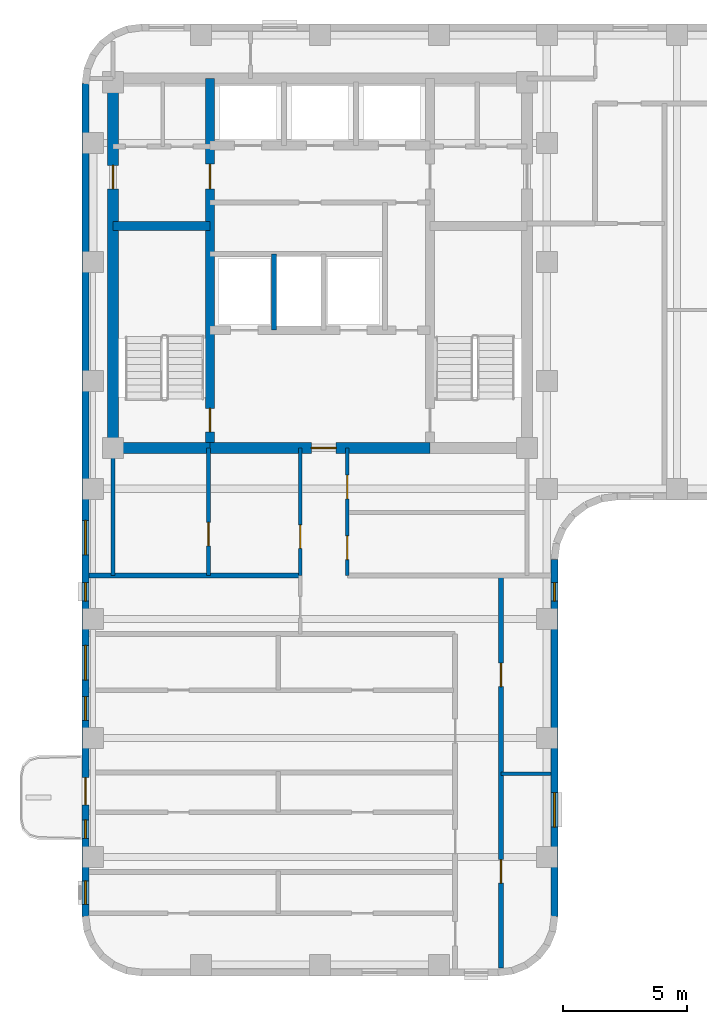
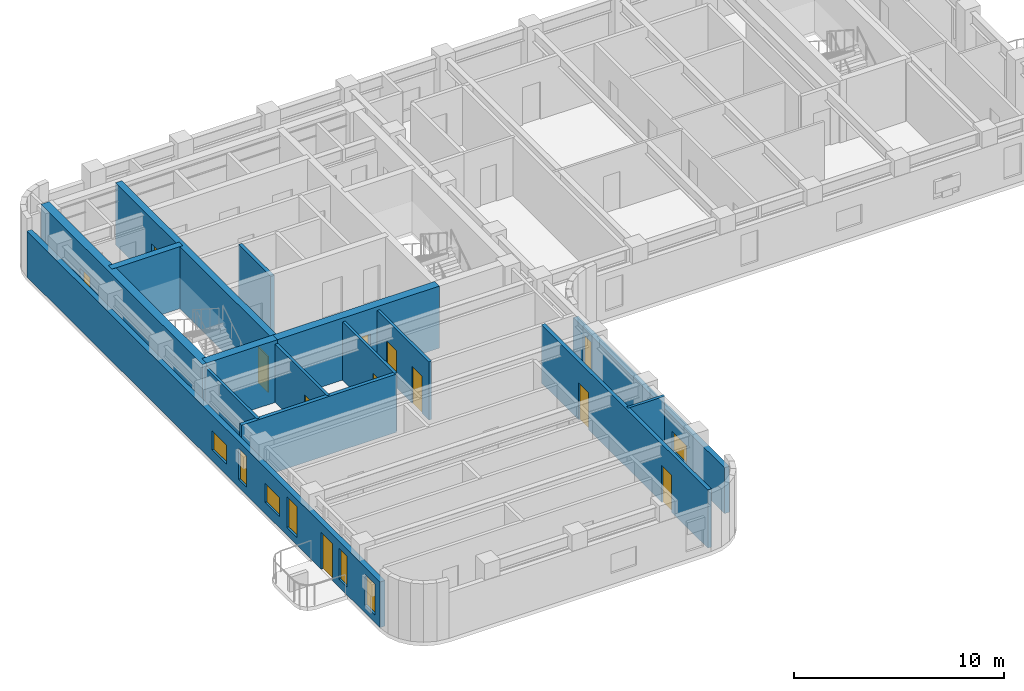
# One storey, part 3 of 10: 15 walls, 11 doors, 8 windows, 19 openings.
"""IFC4 building model written with IfcOpenShell, lengths in metres."""

from ifc_helpers import new_model, si_unit, direction, frame, frame_2d, origin, place, context, subcontext, project, spatial, rectangle, extrude, material, layer, layer_set, type_object, element, fill, save


model = new_model("IFC4")

# Units and contexts
model_context = context("Model", 3, precision=1e-05, world=origin(), true_north=direction((0.0, 1.0)))
body_context = subcontext(model_context, "Body", "Model", "MODEL_VIEW")
ifc_project = project(units=[si_unit("LENGTHUNIT", "METRE"), si_unit("AREAUNIT", "SQUARE_METRE"), si_unit("VOLUMEUNIT", "CUBIC_METRE"), si_unit("PLANEANGLEUNIT", "RADIAN"), si_unit("MASSUNIT", "GRAM", prefix="KILO")], contexts=[model_context])

# Site, building, storey
site_placement = place(None, origin())
site = spatial("IfcSite", under=ifc_project, at=site_placement, CompositionType="ELEMENT")
building_placement = place(site_placement, origin())
building = spatial("IfcBuilding", under=site, at=building_placement, Name="Orvandelia Arch Residences", CompositionType="ELEMENT")
storey_placement = place(building_placement, frame((0.0, 0.0, 229.0)))
storey = spatial("IfcBuildingStorey", under=building, at=storey_placement, Name="L60", CompositionType="ELEMENT", Elevation=229.0)

# Wall, openings, doors
ifc_material_1 = material(Name="Concrete C50/60", Category="concrete")
ifc_layer_1 = layer(ifc_material_1, 0.35009765625, Name="Concrete C50/60", Category="concrete")
ifc_layer_set_1 = layer_set([ifc_layer_1], Name="Concrete C50/60")
wall_type_1 = type_object("IfcWallType", Name="WL-CORE-350", PredefinedType="SHEAR", material=ifc_layer_set_1)
wall_1_placement = place(storey_placement, frame((9.9599609375, 30.89990234375, 0.0), z_axis=(0.0, 0.0, 1.0), x_axis=(0.0, 1.0, 0.0)))
wall_1 = element("IfcWall", 1, at=wall_1_placement, inside=storey, type_object=wall_type_1, Name="Core Shear Wall L60-WEB1", PredefinedType="SHEAR", context=body_context, shape_type="SweptSolid", body=[
    extrude(rectangle(XDim=14.900146484375, YDim=0.35009765625, at=frame_2d((7.4501953125, 0.0))), origin(), (0.0, 0.0, 1.0), 3.60009765625),
])
opening_1_placement = place(wall_1_placement, frame((0.64990234375, 0.0, 0.0)))
opening_1 = element("IfcOpeningElement", 2, at=opening_1_placement, cuts=wall_1, Name="Opening D7", PredefinedType="OPENING", context=body_context, shape_type="SweptSolid", body=[
    extrude(rectangle(XDim=0.949951171875, YDim=2.10009765625, at=frame_2d((0.47509765625, 1.050048828125))), frame((0.0, 0.18505859375, 0.0), z_axis=(0.0, -1.0, 0.0), x_axis=(1.0, 0.0, 0.0)), (0.0, 0.0, 1.0), 0.3701171875),
])
opening_2_placement = place(wall_1_placement, frame((10.449951171875, 0.0, 0.0)))
opening_2 = element("IfcOpeningElement", 3, at=opening_2_placement, cuts=wall_1, Name="Opening D6", PredefinedType="OPENING", context=body_context, shape_type="SweptSolid", body=[
    extrude(rectangle(XDim=1.0, YDim=2.14990234375, at=frame_2d((0.5, 1.074951171875))), frame((0.0, 0.18505859375, 0.0), z_axis=(0.0, -1.0, 0.0), x_axis=(1.0, 0.0, 0.0)), (0.0, 0.0, 1.0), 0.3701171875),
])
ifc_material_2 = material(Name="Smokeproof Painted Steel Fire Door", Category="steel")
door_type_1 = type_object("IfcDoorType", Name="DR-FD60-1000", OperationType="NOTDEFINED", PredefinedType="DOOR", material=ifc_material_2)
door_1_placement = place(opening_2_placement, origin())
door_1 = element("IfcDoor", 4, at=door_1_placement, inside=storey, type_object=door_type_1, Name="High-Rise Lift Hall West Vestibule Door L60", OperationType="SINGLE_SWING_LEFT", OverallHeight=2.14990234375, OverallWidth=1.0, PredefinedType="DOOR", context=body_context, shape_type="SweptSolid", body=[
    extrude(rectangle(XDim=1.0, YDim=2.14990234375, at=frame_2d((0.5, 1.074951171875))), frame((0.0, 0.02490234375, 0.0), z_axis=(0.0, -1.0, 0.0), x_axis=(1.0, 0.0, 0.0)), (0.0, 0.0, 1.0), 0.050048828125),
])
fill(opening_2, door_1)
ifc_material_3 = material(Name="Pressurised Stairwell Fire Door")
door_type_2 = type_object("IfcDoorType", Name="DR-STAIR-950", OperationType="NOTDEFINED", PredefinedType="DOOR", material=ifc_material_3)
door_2_placement = place(opening_1_placement, origin())
door_2 = element("IfcDoor", 5, at=door_2_placement, inside=storey, type_object=door_type_2, Name="Stairwell ST-1 Fire Door L60", OperationType="SINGLE_SWING_LEFT", OverallHeight=2.10009765625, OverallWidth=0.949951171875, PredefinedType="DOOR", context=body_context, shape_type="SweptSolid", body=[
    extrude(rectangle(XDim=0.949951171875, YDim=2.10009765625, at=frame_2d((0.47509765625, 1.050048828125))), frame((0.0, 0.02490234375, 0.0), z_axis=(0.0, -1.0, 0.0), x_axis=(1.0, 0.0, 0.0)), (0.0, 0.0, 1.0), 0.050048828125),
])
fill(opening_1, door_2)

# Wall
wall_2_placement = place(storey_placement, frame((6.050048828125, 39.85009765625, 0.0), z_axis=(0.0, 0.0, 1.0), x_axis=(1.0, 0.0, 0.0)))
element("IfcWall", 6, at=wall_2_placement, inside=storey, type_object=wall_type_1, Name="Core Shear Wall L60-HZ1", PredefinedType="SHEAR", context=body_context, shape_type="SweptSolid", body=[
    extrude(rectangle(XDim=3.909912109375, YDim=0.35009765625, at=frame_2d((1.955078125, 0.0))), origin(), (0.0, 0.0, 1.0), 3.60009765625),
])

# Wall, opening, door
ifc_layer_2 = layer(ifc_material_1, 0.449951171875, Name="Concrete C50/60", Category="concrete")
ifc_layer_set_2 = layer_set([ifc_layer_2], Name="Concrete C50/60")
wall_type_2 = type_object("IfcWallType", Name="WL-CORE-450", PredefinedType="SHEAR", material=ifc_layer_set_2)
wall_3_placement = place(storey_placement, frame((6.050048828125, 30.675048828125, 0.0), z_axis=(0.0, 0.0, 1.0), x_axis=(0.0, 1.0, 0.0)))
wall_3 = element("IfcWall", 7, at=wall_3_placement, inside=storey, type_object=wall_type_2, Name="Core Shear Wall L60-W", PredefinedType="SHEAR", context=body_context, shape_type="SweptSolid", body=[
    extrude(rectangle(XDim=15.349853515625, YDim=0.449951171875, at=frame_2d((7.6748046875, 0.0))), origin(), (0.0, 0.0, 1.0), 3.60009765625),
])
opening_3_placement = place(wall_3_placement, frame((10.675048828125, 0.0, 0.0)))
opening_3 = element("IfcOpeningElement", 8, at=opening_3_placement, cuts=wall_3, Name="Opening D2", PredefinedType="OPENING", context=body_context, shape_type="SweptSolid", body=[
    extrude(rectangle(XDim=0.949951171875, YDim=2.14990234375, at=frame_2d((0.47509765625, 1.074951171875))), frame((0.0, 0.23486328125, 0.0), z_axis=(0.0, -1.0, 0.0), x_axis=(1.0, 0.0, 0.0)), (0.0, 0.0, 1.0), 0.469970703125),
])
ifc_material_4 = material(Name="Solid-Core Timber Interior Fire Door", Category="wood")
door_type_3 = type_object("IfcDoorType", Name="DR-APT-950", OperationType="NOTDEFINED", PredefinedType="DOOR", material=ifc_material_4)
door_3_placement = place(opening_3_placement, origin())
door_3 = element("IfcDoor", 9, at=door_3_placement, inside=storey, type_object=door_type_3, Name="West Viewing Study Door L60", OperationType="SINGLE_SWING_RIGHT", OverallHeight=2.14990234375, OverallWidth=0.949951171875, PredefinedType="DOOR", context=body_context, shape_type="SweptSolid", body=[
    extrude(rectangle(XDim=0.949951171875, YDim=2.14990234375, at=frame_2d((0.47509765625, 1.074951171875))), frame((0.0, 0.02490234375, 0.0), z_axis=(0.0, -1.0, 0.0), x_axis=(1.0, 0.0, 0.0)), (0.0, 0.0, 1.0), 0.050048828125),
])
fill(opening_3, door_3)

# Wall
wall_4_placement = place(storey_placement, frame((6.050048828125, 30.89990234375, 0.0), z_axis=(0.0, 0.0, 1.0), x_axis=(1.0, 0.0, 0.0)))
element("IfcWall", 10, at=wall_4_placement, inside=storey, type_object=wall_type_2, Name="Core Shear Wall L60-SW", PredefinedType="SHEAR", context=body_context, shape_type="SweptSolid", body=[
    extrude(rectangle(XDim=3.909912109375, YDim=0.449951171875, at=frame_2d((1.955078125, 0.0))), origin(), (0.0, 0.0, 1.0), 3.60009765625),
])

# Wall, opening, door
wall_5_placement = place(storey_placement, frame((9.9599609375, 30.89990234375, 0.0), z_axis=(0.0, 0.0, 1.0), x_axis=(1.0, 0.0, 0.0)))
wall_5 = element("IfcWall", 11, at=wall_5_placement, inside=storey, type_object=wall_type_2, Name="Core Shear Wall L60-SM", PredefinedType="SHEAR", context=body_context, shape_type="SweptSolid", body=[
    extrude(rectangle(XDim=8.880126953125, YDim=0.449951171875, at=frame_2d((4.43994140625, 0.0))), origin(), (0.0, 0.0, 1.0), 3.60009765625),
])
opening_4_placement = place(wall_5_placement, frame((4.090087890625, 0.0, 0.0)))
opening_4 = element("IfcOpeningElement", 12, at=opening_4_placement, cuts=wall_5, Name="Opening D6", PredefinedType="OPENING", context=body_context, shape_type="SweptSolid", body=[
    extrude(rectangle(XDim=1.0, YDim=2.14990234375, at=frame_2d((0.5, 1.074951171875))), frame((0.0, 0.23486328125, 0.0), z_axis=(0.0, -1.0, 0.0), x_axis=(1.0, 0.0, 0.0)), (0.0, 0.0, 1.0), 0.469970703125),
])
door_4_placement = place(opening_4_placement, origin())
door_4 = element("IfcDoor", 13, at=door_4_placement, inside=storey, type_object=door_type_1, Name="Firefighting Lobby Smokeproof Door L60", OperationType="SINGLE_SWING_LEFT", OverallHeight=2.14990234375, OverallWidth=1.0, PredefinedType="DOOR", context=body_context, shape_type="SweptSolid", body=[
    extrude(rectangle(XDim=1.0, YDim=2.14990234375, at=frame_2d((0.5, 1.074951171875))), frame((0.0, 0.02490234375, 0.0), z_axis=(0.0, -1.0, 0.0), x_axis=(1.0, 0.0, 0.0)), (0.0, 0.0, 1.0), 0.050048828125),
])
fill(opening_4, door_4)

# Wall, openings, doors
ifc_material_5 = material(Name="Fire-Rated Corridor Partition")
ifc_layer_3 = layer(ifc_material_5, 0.199951171875, Name="Fire-Rated Corridor Partition")
ifc_layer_set_3 = layer_set([ifc_layer_3], Name="Fire-Rated Corridor Partition")
wall_type_3 = type_object("IfcWallType", Name="WL-CORR-200", PredefinedType="PARTITIONING", material=ifc_layer_set_3)
wall_6_placement = place(storey_placement, frame((21.699951171875, 9.919921875, 0.0), z_axis=(0.0, 0.0, 1.0), x_axis=(0.0, 1.0, 0.0)))
wall_6 = element("IfcWall", 14, at=wall_6_placement, inside=storey, type_object=wall_type_3, Name="Interior Partition Wall WL-L60-WC-E", PredefinedType="PARTITIONING", context=body_context, shape_type="SweptSolid", body=[
    extrude(rectangle(XDim=15.830078125, YDim=0.199951171875, at=frame_2d((7.9150390625, 0.0))), origin(), (0.0, 0.0, 1.0), 3.3798828125),
])
opening_5_placement = place(wall_6_placement, frame((3.429931640625, 0.0, 0.0)))
opening_5 = element("IfcOpeningElement", 15, at=opening_5_placement, cuts=wall_6, Name="Opening D2", PredefinedType="OPENING", context=body_context, shape_type="SweptSolid", body=[
    extrude(rectangle(XDim=0.949951171875, YDim=2.14990234375, at=frame_2d((0.47509765625, 1.074951171875))), frame((0.0, 0.10986328125, 0.0), z_axis=(0.0, -1.0, 0.0), x_axis=(1.0, 0.0, 0.0)), (0.0, 0.0, 1.0), 0.219970703125),
])
opening_6_placement = place(wall_6_placement, frame((11.35009765625, 0.0, 0.0)))
opening_6 = element("IfcOpeningElement", 16, at=opening_6_placement, cuts=wall_6, Name="Opening D2", PredefinedType="OPENING", context=body_context, shape_type="SweptSolid", body=[
    extrude(rectangle(XDim=0.949951171875, YDim=2.14990234375, at=frame_2d((0.47509765625, 1.074951171875))), frame((0.0, 0.10986328125, 0.0), z_axis=(0.0, -1.0, 0.0), x_axis=(1.0, 0.0, 0.0)), (0.0, 0.0, 1.0), 0.219970703125),
])
door_5_placement = place(opening_5_placement, origin())
door_5 = element("IfcDoor", 17, at=door_5_placement, inside=storey, type_object=door_type_3, Name="DR-L60-EGALV1", OperationType="SINGLE_SWING_LEFT", OverallHeight=2.14990234375, OverallWidth=0.949951171875, PredefinedType="DOOR", context=body_context, shape_type="SweptSolid", body=[
    extrude(rectangle(XDim=0.949951171875, YDim=2.14990234375, at=frame_2d((0.47509765625, 1.074951171875))), frame((0.0, 0.02490234375, 0.0), z_axis=(0.0, -1.0, 0.0), x_axis=(1.0, 0.0, 0.0)), (0.0, 0.0, 1.0), 0.050048828125),
])
fill(opening_5, door_5)
door_6_placement = place(opening_6_placement, origin())
door_6 = element("IfcDoor", 18, at=door_6_placement, inside=storey, type_object=door_type_3, Name="DR-L60-EGLDY1", OperationType="SINGLE_SWING_RIGHT", OverallHeight=2.14990234375, OverallWidth=0.949951171875, PredefinedType="DOOR", context=body_context, shape_type="SweptSolid", body=[
    extrude(rectangle(XDim=0.949951171875, YDim=2.14990234375, at=frame_2d((0.47509765625, 1.074951171875))), frame((0.0, 0.02490234375, 0.0), z_axis=(0.0, -1.0, 0.0), x_axis=(1.0, 0.0, 0.0)), (0.0, 0.0, 1.0), 0.050048828125),
])
fill(opening_6, door_6)

# Wall
wall_7_placement = place(storey_placement, frame((5.080078125, 25.75, 0.0), z_axis=(0.0, 0.0, 1.0), x_axis=(1.0, 0.0, 0.0)))
element("IfcWall", 19, at=wall_7_placement, inside=storey, type_object=wall_type_3, Name="Interior Partition Wall WL-L60-WLNK-NW2", PredefinedType="PARTITIONING", context=body_context, shape_type="SweptSolid", body=[
    extrude(rectangle(XDim=8.52001953125, YDim=0.199951171875, at=frame_2d((4.260009765625, 0.0))), origin(), (0.0, 0.0, 1.0), 3.3798828125),
])

# Wall, openings, windows
ifc_material_6 = material(Name="Precast concrete C40/50", Category="concrete")
ifc_layer_4 = layer(ifc_material_6, 0.280029296875, Name="Precast concrete C40/50", Category="concrete")
ifc_layer_set_4 = layer_set([ifc_layer_4], Name="Precast concrete C40/50")
wall_type_4 = type_object("IfcWallType", Name="WL-EXT-STONE-280", PredefinedType="STANDARD", material=ifc_layer_set_4)
wall_8_placement = place(storey_placement, frame((23.860107421875, 26.39990234375, 0.0), z_axis=(0.0, 0.0, 1.0), x_axis=(0.0, -1.0, 0.0)))
wall_8 = element("IfcWall", 20, at=wall_8_placement, inside=storey, type_object=wall_type_4, Name="Coral-Limestone Precast Facade Wall L60-028", PredefinedType="STANDARD", context=body_context, shape_type="SweptSolid", body=[
    extrude(rectangle(XDim=14.39990234375, YDim=0.280029296875, at=frame_2d((7.199951171875, 0.0))), origin(), (0.0, 0.0, 1.0), 2.659912109375),
])
opening_7_placement = place(wall_8_placement, frame((9.3974609375, 0.0, 0.64990234375)))
opening_7 = element("IfcOpeningElement", 21, at=opening_7_placement, cuts=wall_8, Name="Opening W10", PredefinedType="OPENING", context=body_context, shape_type="SweptSolid", body=[
    extrude(rectangle(XDim=1.39990234375, YDim=1.10009765625, at=frame_2d((0.699951171875, 0.550048828125))), frame((0.0, 0.14990234375, 0.0), z_axis=(0.0, -1.0, 0.0), x_axis=(1.0, 0.0, 0.0)), (0.0, 0.0, 1.0), 0.300048828125),
])
opening_8_placement = place(wall_8_placement, frame((0.927490234375, 0.0, 0.449951171875)))
opening_8 = element("IfcOpeningElement", 22, at=opening_8_placement, cuts=wall_8, Name="Opening W11", PredefinedType="OPENING", context=body_context, shape_type="SweptSolid", body=[
    extrude(rectangle(XDim=0.75, YDim=1.800048828125, at=frame_2d((0.375, 0.89990234375))), frame((0.0, 0.14990234375, 0.0), z_axis=(0.0, -1.0, 0.0), x_axis=(1.0, 0.0, 0.0)), (0.0, 0.0, 1.0), 0.300048828125),
])
ifc_material_7 = material(Name="Tempered Low-E Insulated Glazing", Category="glass")
window_type_1 = type_object("IfcWindowType", Name="WIN-BED-0750x1800", PartitioningType="SINGLE_PANEL", PredefinedType="WINDOW", material=ifc_material_7)
window_1_placement = place(opening_8_placement, origin())
window_1 = element("IfcWindow", 23, at=window_1_placement, inside=storey, type_object=window_type_1, Name="Recessed Punched Window L60-013", OverallHeight=1.800048828125, OverallWidth=0.75, PartitioningType="SINGLE_PANEL", PredefinedType="WINDOW", context=body_context, shape_type="SweptSolid", body=[
    extrude(rectangle(XDim=0.75, YDim=1.800048828125, at=frame_2d((0.375, 0.89990234375))), frame((0.0, 0.030029296875, 0.0), z_axis=(0.0, -1.0, 0.0), x_axis=(1.0, 0.0, 0.0)), (0.0, 0.0, 1.0), 0.06005859375),
])
fill(opening_8, window_1)
window_type_2 = type_object("IfcWindowType", Name="WIN-CLR-1400x1100", PartitioningType="SINGLE_PANEL", PredefinedType="WINDOW", material=ifc_material_7)
window_2_placement = place(opening_7_placement, origin())
window_2 = element("IfcWindow", 24, at=window_2_placement, inside=storey, type_object=window_type_2, Name="Recessed Punched Window L60-012", OverallHeight=1.10009765625, OverallWidth=1.39990234375, PartitioningType="SINGLE_PANEL", PredefinedType="WINDOW", context=body_context, shape_type="SweptSolid", body=[
    extrude(rectangle(XDim=1.39990234375, YDim=1.10009765625, at=frame_2d((0.699951171875, 0.550048828125))), frame((0.0, 0.030029296875, 0.0), z_axis=(0.0, -1.0, 0.0), x_axis=(1.0, 0.0, 0.0)), (0.0, 0.0, 1.0), 0.06005859375),
])
fill(opening_7, window_2)

# Wall, openings, door, windows
wall_9_placement = place(storey_placement, frame((4.93994140625, 12.0, 0.0), z_axis=(0.0, 0.0, 1.0), x_axis=(0.0, 1.0, 0.0)))
wall_9 = element("IfcWall", 25, at=wall_9_placement, inside=storey, type_object=wall_type_4, Name="Coral-Limestone Precast Facade Wall L60-042", PredefinedType="STANDARD", context=body_context, shape_type="SweptSolid", body=[
    extrude(rectangle(XDim=33.60009765625, YDim=0.280029296875, at=frame_2d((16.800048828125, 0.0))), origin(), (0.0, 0.0, 1.0), 2.659912109375),
])
opening_9_placement = place(wall_9_placement, frame((4.5, 0.0, 0.0)))
opening_9 = element("IfcOpeningElement", 26, at=opening_9_placement, cuts=wall_9, Name="Opening BD1", PredefinedType="OPENING", context=body_context, shape_type="SweptSolid", body=[
    extrude(rectangle(XDim=1.10009765625, YDim=2.14990234375, at=frame_2d((0.550048828125, 1.074951171875))), frame((0.0, 0.14990234375, 0.0), z_axis=(0.0, -1.0, 0.0), x_axis=(1.0, 0.0, 0.0)), (0.0, 0.0, 1.0), 0.300048828125),
])
opening_10_placement = place(wall_9_placement, frame((3.152587890625, 0.0, 0.449951171875)))
opening_10 = element("IfcOpeningElement", 27, at=opening_10_placement, cuts=wall_9, Name="Opening W11", PredefinedType="OPENING", context=body_context, shape_type="SweptSolid", body=[
    extrude(rectangle(XDim=0.75, YDim=1.800048828125, at=frame_2d((0.375, 0.89990234375))), frame((0.0, 0.14990234375, 0.0), z_axis=(0.0, -1.0, 0.0), x_axis=(1.0, 0.0, 0.0)), (0.0, 0.0, 1.0), 0.300048828125),
])
opening_11_placement = place(wall_9_placement, frame((7.91455078125, 0.0, 0.449951171875)))
opening_11 = element("IfcOpeningElement", 28, at=opening_11_placement, cuts=wall_9, Name="Opening W4", PredefinedType="OPENING", context=body_context, shape_type="SweptSolid", body=[
    extrude(rectangle(XDim=0.949951171875, YDim=1.800048828125, at=frame_2d((0.47509765625, 0.89990234375))), frame((0.0, 0.14990234375, 0.0), z_axis=(0.0, -1.0, 0.0), x_axis=(1.0, 0.0, 0.0)), (0.0, 0.0, 1.0), 0.300048828125),
])
opening_12_placement = place(wall_9_placement, frame((0.489990234375, 0.0, 0.449951171875)))
opening_12 = element("IfcOpeningElement", 29, at=opening_12_placement, cuts=wall_9, Name="Opening W4", PredefinedType="OPENING", context=body_context, shape_type="SweptSolid", body=[
    extrude(rectangle(XDim=0.949951171875, YDim=1.800048828125, at=frame_2d((0.47509765625, 0.89990234375))), frame((0.0, 0.14990234375, 0.0), z_axis=(0.0, -1.0, 0.0), x_axis=(1.0, 0.0, 0.0)), (0.0, 0.0, 1.0), 0.300048828125),
])
opening_13_placement = place(wall_9_placement, frame((9.537109375, 0.0, 0.64990234375)))
opening_13 = element("IfcOpeningElement", 30, at=opening_13_placement, cuts=wall_9, Name="Opening W10", PredefinedType="OPENING", context=body_context, shape_type="SweptSolid", body=[
    extrude(rectangle(XDim=1.39990234375, YDim=1.10009765625, at=frame_2d((0.699951171875, 0.550048828125))), frame((0.0, 0.14990234375, 0.0), z_axis=(0.0, -1.0, 0.0), x_axis=(1.0, 0.0, 0.0)), (0.0, 0.0, 1.0), 0.300048828125),
])
opening_14_placement = place(wall_9_placement, frame((14.58251953125, 0.0, 0.64990234375)))
opening_14 = element("IfcOpeningElement", 31, at=opening_14_placement, cuts=wall_9, Name="Opening W10", PredefinedType="OPENING", context=body_context, shape_type="SweptSolid", body=[
    extrude(rectangle(XDim=1.39990234375, YDim=1.10009765625, at=frame_2d((0.699951171875, 0.550048828125))), frame((0.0, 0.14990234375, 0.0), z_axis=(0.0, -1.0, 0.0), x_axis=(1.0, 0.0, 0.0)), (0.0, 0.0, 1.0), 0.300048828125),
])
opening_15_placement = place(wall_9_placement, frame((12.717529296875, 0.0, 0.449951171875)))
opening_15 = element("IfcOpeningElement", 32, at=opening_15_placement, cuts=wall_9, Name="Opening W11", PredefinedType="OPENING", context=body_context, shape_type="SweptSolid", body=[
    extrude(rectangle(XDim=0.75, YDim=1.800048828125, at=frame_2d((0.375, 0.89990234375))), frame((0.0, 0.14990234375, 0.0), z_axis=(0.0, -1.0, 0.0), x_axis=(1.0, 0.0, 0.0)), (0.0, 0.0, 1.0), 0.300048828125),
])
ifc_material_8 = material(Name="Thermally Broken Aluminium Glazed Door", Category="aluminium")
door_type_4 = type_object("IfcDoorType", Name="DR-BAL-GLAZ-1100", OperationType="NOTDEFINED", PredefinedType="DOOR", material=ifc_material_8)
door_7_placement = place(opening_9_placement, origin())
door_7 = element("IfcDoor", 33, at=door_7_placement, inside=storey, type_object=door_type_4, Name="Tree Balcony Glazed Door BAL-L60-W1", OperationType="SINGLE_SWING_RIGHT", OverallHeight=2.14990234375, OverallWidth=1.10009765625, PredefinedType="DOOR", context=body_context, shape_type="SweptSolid", body=[
    extrude(rectangle(XDim=1.10009765625, YDim=2.14990234375, at=frame_2d((0.550048828125, 1.074951171875))), frame((0.0, 0.02490234375, 0.0), z_axis=(0.0, -1.0, 0.0), x_axis=(1.0, 0.0, 0.0)), (0.0, 0.0, 1.0), 0.050048828125),
])
fill(opening_9, door_7)
window_3_placement = place(opening_10_placement, origin())
window_3 = element("IfcWindow", 34, at=window_3_placement, inside=storey, type_object=window_type_1, Name="Recessed Punched Window L60-016", OverallHeight=1.800048828125, OverallWidth=0.75, PartitioningType="SINGLE_PANEL", PredefinedType="WINDOW", context=body_context, shape_type="SweptSolid", body=[
    extrude(rectangle(XDim=0.75, YDim=1.800048828125, at=frame_2d((0.375, 0.89990234375))), frame((0.0, 0.030029296875, 0.0), z_axis=(0.0, -1.0, 0.0), x_axis=(1.0, 0.0, 0.0)), (0.0, 0.0, 1.0), 0.06005859375),
])
fill(opening_10, window_3)
window_4_placement = place(opening_15_placement, origin())
window_4 = element("IfcWindow", 35, at=window_4_placement, inside=storey, type_object=window_type_1, Name="Recessed Punched Window L60-021", OverallHeight=1.800048828125, OverallWidth=0.75, PartitioningType="SINGLE_PANEL", PredefinedType="WINDOW", context=body_context, shape_type="SweptSolid", body=[
    extrude(rectangle(XDim=0.75, YDim=1.800048828125, at=frame_2d((0.375, 0.89990234375))), frame((0.0, 0.030029296875, 0.0), z_axis=(0.0, -1.0, 0.0), x_axis=(1.0, 0.0, 0.0)), (0.0, 0.0, 1.0), 0.06005859375),
])
fill(opening_15, window_4)
window_5_placement = place(opening_13_placement, origin())
window_5 = element("IfcWindow", 36, at=window_5_placement, inside=storey, type_object=window_type_2, Name="Recessed Punched Window L60-019", OverallHeight=1.10009765625, OverallWidth=1.39990234375, PartitioningType="SINGLE_PANEL", PredefinedType="WINDOW", context=body_context, shape_type="SweptSolid", body=[
    extrude(rectangle(XDim=1.39990234375, YDim=1.10009765625, at=frame_2d((0.699951171875, 0.550048828125))), frame((0.0, 0.030029296875, 0.0), z_axis=(0.0, -1.0, 0.0), x_axis=(1.0, 0.0, 0.0)), (0.0, 0.0, 1.0), 0.06005859375),
])
fill(opening_13, window_5)
window_6_placement = place(opening_14_placement, origin())
window_6 = element("IfcWindow", 37, at=window_6_placement, inside=storey, type_object=window_type_2, Name="Recessed Punched Window L60-020", OverallHeight=1.10009765625, OverallWidth=1.39990234375, PartitioningType="SINGLE_PANEL", PredefinedType="WINDOW", context=body_context, shape_type="SweptSolid", body=[
    extrude(rectangle(XDim=1.39990234375, YDim=1.10009765625, at=frame_2d((0.699951171875, 0.550048828125))), frame((0.0, 0.030029296875, 0.0), z_axis=(0.0, -1.0, 0.0), x_axis=(1.0, 0.0, 0.0)), (0.0, 0.0, 1.0), 0.06005859375),
])
fill(opening_14, window_6)
window_type_3 = type_object("IfcWindowType", Name="WIN-RES-0950x1800", PartitioningType="SINGLE_PANEL", PredefinedType="WINDOW", material=ifc_material_7)
window_7_placement = place(opening_11_placement, origin())
window_7 = element("IfcWindow", 38, at=window_7_placement, inside=storey, type_object=window_type_3, Name="Recessed Punched Window L60-017", OverallHeight=1.800048828125, OverallWidth=0.949951171875, PartitioningType="SINGLE_PANEL", PredefinedType="WINDOW", context=body_context, shape_type="SweptSolid", body=[
    extrude(rectangle(XDim=0.949951171875, YDim=1.800048828125, at=frame_2d((0.47509765625, 0.89990234375))), frame((0.0, 0.030029296875, 0.0), z_axis=(0.0, -1.0, 0.0), x_axis=(1.0, 0.0, 0.0)), (0.0, 0.0, 1.0), 0.06005859375),
])
fill(opening_11, window_7)
window_8_placement = place(opening_12_placement, origin())
window_8 = element("IfcWindow", 39, at=window_8_placement, inside=storey, type_object=window_type_3, Name="Recessed Punched Window L60-018", OverallHeight=1.800048828125, OverallWidth=0.949951171875, PartitioningType="SINGLE_PANEL", PredefinedType="WINDOW", context=body_context, shape_type="SweptSolid", body=[
    extrude(rectangle(XDim=0.949951171875, YDim=1.800048828125, at=frame_2d((0.47509765625, 0.89990234375))), frame((0.0, 0.030029296875, 0.0), z_axis=(0.0, -1.0, 0.0), x_axis=(1.0, 0.0, 0.0)), (0.0, 0.0, 1.0), 0.06005859375),
])
fill(opening_12, window_8)

# Wall, opening, door
ifc_material_9 = material(Name="Acoustic Gypsum Stud Partition")
ifc_layer_5 = layer(ifc_material_9, 0.14990234375, Name="Acoustic Gypsum Stud Partition")
ifc_layer_set_5 = layer_set([ifc_layer_5], Name="Acoustic Gypsum Stud Partition")
wall_type_5 = type_object("IfcWallType", Name="WL-PART-150", PredefinedType="PARTITIONING", material=ifc_layer_set_5)
wall_10_placement = place(storey_placement, frame((13.60009765625, 25.75, 0.0), z_axis=(0.0, 0.0, 1.0), x_axis=(0.0, 1.0, 0.0)))
wall_10 = element("IfcWall", 40, at=wall_10_placement, inside=storey, type_object=wall_type_5, Name="Interior Partition Wall WL-L60-HI-W1", PredefinedType="PARTITIONING", context=body_context, shape_type="SweptSolid", body=[
    extrude(rectangle(XDim=5.14990234375, YDim=0.14990234375, at=frame_2d((2.574951171875, 0.0))), origin(), (0.0, 0.0, 1.0), 3.3798828125),
])
opening_16_placement = place(wall_10_placement, frame((1.10009765625, 0.0, 0.0)))
opening_16 = element("IfcOpeningElement", 41, at=opening_16_placement, cuts=wall_10, Name="Opening D2", PredefinedType="OPENING", context=body_context, shape_type="SweptSolid", body=[
    extrude(rectangle(XDim=0.949951171875, YDim=2.14990234375, at=frame_2d((0.47509765625, 1.074951171875))), frame((0.0, 0.0849609375, 0.0), z_axis=(0.0, -1.0, 0.0), x_axis=(1.0, 0.0, 0.0)), (0.0, 0.0, 1.0), 0.169921875),
])
door_8_placement = place(opening_16_placement, origin())
door_8 = element("IfcDoor", 42, at=door_8_placement, inside=storey, type_object=door_type_3, Name="DR-L60-HIR1B", OperationType="SINGLE_SWING_LEFT", OverallHeight=2.14990234375, OverallWidth=0.949951171875, PredefinedType="DOOR", context=body_context, shape_type="SweptSolid", body=[
    extrude(rectangle(XDim=0.949951171875, YDim=2.14990234375, at=frame_2d((0.47509765625, 1.074951171875))), frame((0.0, 0.02490234375, 0.0), z_axis=(0.0, -1.0, 0.0), x_axis=(1.0, 0.0, 0.0)), (0.0, 0.0, 1.0), 0.050048828125),
])
fill(opening_16, door_8)

# Wall, openings, doors
wall_11_placement = place(storey_placement, frame((15.5, 25.75, 0.0), z_axis=(0.0, 0.0, 1.0), x_axis=(0.0, 1.0, 0.0)))
wall_11 = element("IfcWall", 43, at=wall_11_placement, inside=storey, type_object=wall_type_5, Name="Interior Partition Wall WL-L60-HI-W2", PredefinedType="PARTITIONING", context=body_context, shape_type="SweptSolid", body=[
    extrude(rectangle(XDim=5.14990234375, YDim=0.14990234375, at=frame_2d((2.574951171875, 0.0))), origin(), (0.0, 0.0, 1.0), 3.3798828125),
])
opening_17_placement = place(wall_11_placement, frame((0.64990234375, 0.0, 0.0)))
opening_17 = element("IfcOpeningElement", 44, at=opening_17_placement, cuts=wall_11, Name="Opening D2", PredefinedType="OPENING", context=body_context, shape_type="SweptSolid", body=[
    extrude(rectangle(XDim=0.949951171875, YDim=2.14990234375, at=frame_2d((0.47509765625, 1.074951171875))), frame((0.0, 0.0849609375, 0.0), z_axis=(0.0, -1.0, 0.0), x_axis=(1.0, 0.0, 0.0)), (0.0, 0.0, 1.0), 0.169921875),
])
opening_18_placement = place(wall_11_placement, frame((3.10009765625, 0.0, 0.0)))
opening_18 = element("IfcOpeningElement", 45, at=opening_18_placement, cuts=wall_11, Name="Opening D2", PredefinedType="OPENING", context=body_context, shape_type="SweptSolid", body=[
    extrude(rectangle(XDim=0.949951171875, YDim=2.14990234375, at=frame_2d((0.47509765625, 1.074951171875))), frame((0.0, 0.0849609375, 0.0), z_axis=(0.0, -1.0, 0.0), x_axis=(1.0, 0.0, 0.0)), (0.0, 0.0, 1.0), 0.169921875),
])
door_9_placement = place(opening_17_placement, origin())
door_9 = element("IfcDoor", 46, at=door_9_placement, inside=storey, type_object=door_type_3, Name="DR-L60-HIR2S", OperationType="SINGLE_SWING_RIGHT", OverallHeight=2.14990234375, OverallWidth=0.949951171875, PredefinedType="DOOR", context=body_context, shape_type="SweptSolid", body=[
    extrude(rectangle(XDim=0.949951171875, YDim=2.14990234375, at=frame_2d((0.47509765625, 1.074951171875))), frame((0.0, 0.02490234375, 0.0), z_axis=(0.0, -1.0, 0.0), x_axis=(1.0, 0.0, 0.0)), (0.0, 0.0, 1.0), 0.050048828125),
])
fill(opening_17, door_9)
door_10_placement = place(opening_18_placement, origin())
door_10 = element("IfcDoor", 47, at=door_10_placement, inside=storey, type_object=door_type_3, Name="DR-L60-HIR2N", OperationType="SINGLE_SWING_LEFT", OverallHeight=2.14990234375, OverallWidth=0.949951171875, PredefinedType="DOOR", context=body_context, shape_type="SweptSolid", body=[
    extrude(rectangle(XDim=0.949951171875, YDim=2.14990234375, at=frame_2d((0.47509765625, 1.074951171875))), frame((0.0, 0.02490234375, 0.0), z_axis=(0.0, -1.0, 0.0), x_axis=(1.0, 0.0, 0.0)), (0.0, 0.0, 1.0), 0.050048828125),
])
fill(opening_18, door_10)

# Wall
wall_12_placement = place(storey_placement, frame((6.050048828125, 25.75, 0.0), z_axis=(0.0, 0.0, 1.0), x_axis=(0.0, 1.0, 0.0)))
element("IfcWall", 48, at=wall_12_placement, inside=storey, type_object=wall_type_5, Name="Interior Partition Wall WL-L60-HI-WW", PredefinedType="PARTITIONING", context=body_context, shape_type="SweptSolid", body=[
    extrude(rectangle(XDim=5.14990234375, YDim=0.14990234375, at=frame_2d((2.574951171875, 0.0))), origin(), (0.0, 0.0, 1.0), 3.3798828125),
])

# Wall, opening, door
wall_13_placement = place(storey_placement, frame((9.89990234375, 25.75, 0.0), z_axis=(0.0, 0.0, 1.0), x_axis=(0.0, 1.0, 0.0)))
wall_13 = element("IfcWall", 49, at=wall_13_placement, inside=storey, type_object=wall_type_5, Name="Interior Partition Wall WL-L60-HIR-M1", PredefinedType="PARTITIONING", context=body_context, shape_type="SweptSolid", body=[
    extrude(rectangle(XDim=5.14990234375, YDim=0.14990234375, at=frame_2d((2.574951171875, 0.0))), origin(), (0.0, 0.0, 1.0), 3.3798828125),
])
opening_19_placement = place(wall_13_placement, frame((1.199951171875, 0.0, 0.0)))
opening_19 = element("IfcOpeningElement", 50, at=opening_19_placement, cuts=wall_13, Name="Opening D2", PredefinedType="OPENING", context=body_context, shape_type="SweptSolid", body=[
    extrude(rectangle(XDim=0.949951171875, YDim=2.14990234375, at=frame_2d((0.47509765625, 1.074951171875))), frame((0.0, 0.0849609375, 0.0), z_axis=(0.0, -1.0, 0.0), x_axis=(1.0, 0.0, 0.0)), (0.0, 0.0, 1.0), 0.169921875),
])
door_11_placement = place(opening_19_placement, origin())
door_11 = element("IfcDoor", 51, at=door_11_placement, inside=storey, type_object=door_type_3, Name="DR-L60-HIR1A", OperationType="SINGLE_SWING_RIGHT", OverallHeight=2.14990234375, OverallWidth=0.949951171875, PredefinedType="DOOR", context=body_context, shape_type="SweptSolid", body=[
    extrude(rectangle(XDim=0.949951171875, YDim=2.14990234375, at=frame_2d((0.47509765625, 1.074951171875))), frame((0.0, 0.02490234375, 0.0), z_axis=(0.0, -1.0, 0.0), x_axis=(1.0, 0.0, 0.0)), (0.0, 0.0, 1.0), 0.050048828125),
])
fill(opening_19, door_11)

# Walls
wall_14_placement = place(storey_placement, frame((21.699951171875, 17.760009765625, 0.0), z_axis=(0.0, 0.0, 1.0), x_axis=(1.0, 0.0, 0.0)))
element("IfcWall", 52, at=wall_14_placement, inside=storey, type_object=wall_type_5, Name="Interior Partition Wall WL-L60-EGDIV-1", PredefinedType="PARTITIONING", context=body_context, shape_type="SweptSolid", body=[
    extrude(rectangle(XDim=2.02001953125, YDim=0.14990234375, at=frame_2d((1.010009765625, 0.0))), origin(), (0.0, 0.0, 1.0), 3.3798828125),
])
ifc_material_10 = material(Name="Fire-Rated Shaft Enclosure Wall")
ifc_layer_6 = layer(ifc_material_10, 0.199951171875, Name="Fire-Rated Shaft Enclosure Wall")
ifc_layer_set_6 = layer_set([ifc_layer_6], Name="Fire-Rated Shaft Enclosure Wall")
wall_type_6 = type_object("IfcWallType", Name="WL-SHAFT-200", PredefinedType="POLYGONAL", material=ifc_layer_set_6)
wall_15_placement = place(storey_placement, frame((12.550048828125, 35.64990234375, 0.0), z_axis=(0.0, 0.0, 1.0), x_axis=(0.0, 1.0, 0.0)))
element("IfcWall", 53, at=wall_15_placement, inside=storey, type_object=wall_type_6, Name="Interior Partition Wall WL-L60-FLM1", PredefinedType="POLYGONAL", context=body_context, shape_type="SweptSolid", body=[
    extrude(rectangle(XDim=3.070068359375, YDim=0.199951171875, at=frame_2d((1.53515625, 0.0))), origin(), (0.0, 0.0, 1.0), 3.3798828125),
])

save(model, "model.ifc")
